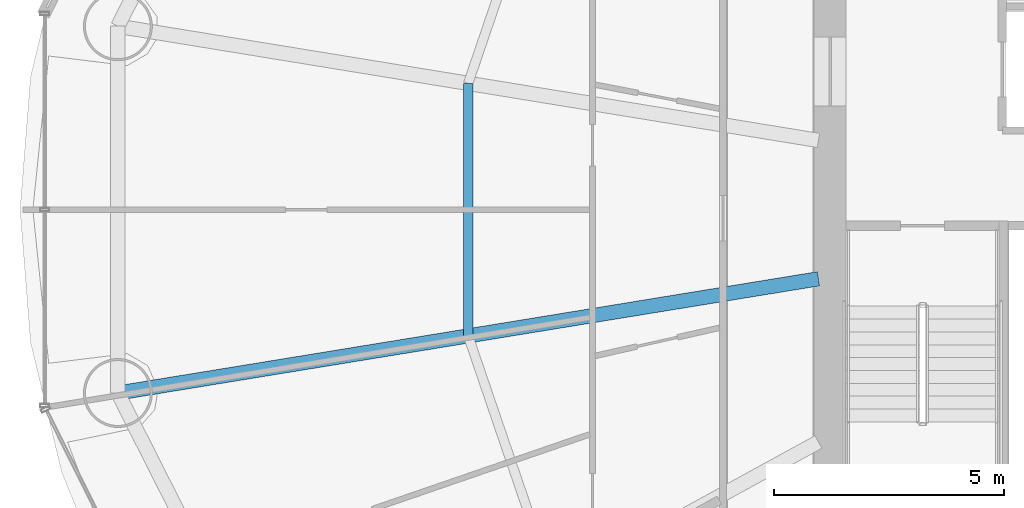
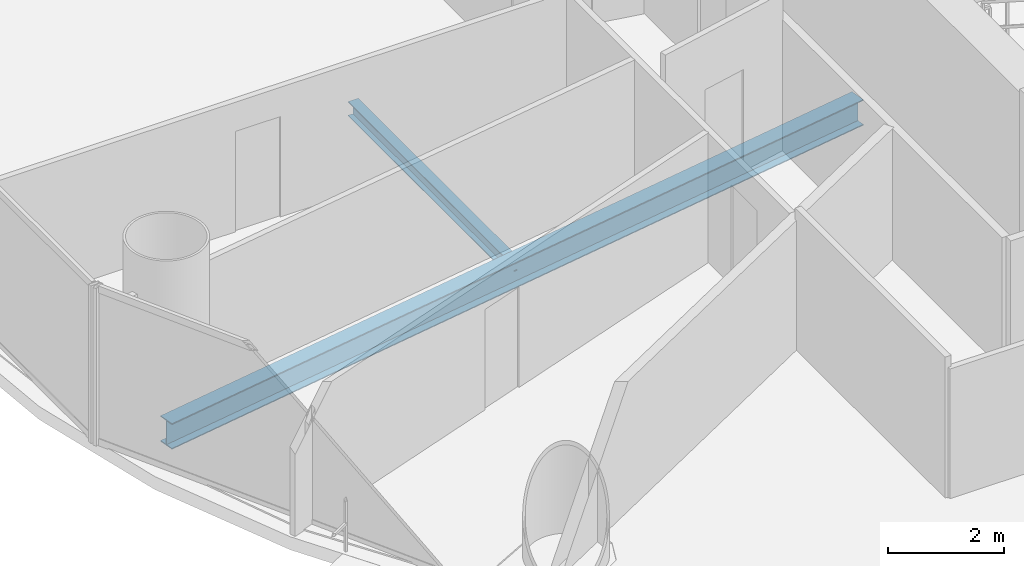
# One storey, part 7 of 28: 2 beams.
"""IFC4 building model written with IfcOpenShell, lengths in metres."""

from ifc_helpers import new_model, si_unit, direction, frame, origin, origin_2d, place, context, subcontext, project, spatial, i_section, extrude, material, material_profile, profile_set, type_object, element, save


model = new_model("IFC4")

# Units and contexts
model_context = context("Model", 3, precision=1e-05, world=origin(), true_north=direction((-0.2419218956, 0.970295726276)))
body_context = subcontext(model_context, "Body", "Model", "MODEL_VIEW")
ifc_project = project(units=[si_unit("LENGTHUNIT", "METRE"), si_unit("AREAUNIT", "SQUARE_METRE"), si_unit("VOLUMEUNIT", "CUBIC_METRE"), si_unit("PLANEANGLEUNIT", "RADIAN"), si_unit("MASSUNIT", "GRAM", prefix="KILO")], contexts=[model_context])

# Site, building, storey
site_placement = place(None, origin())
site = spatial("IfcSite", under=ifc_project, at=site_placement, CompositionType="ELEMENT")
building_placement = place(site_placement, origin())
building = spatial("IfcBuilding", under=site, at=building_placement, Name="Cobrevalo Terracotta Tower", CompositionType="ELEMENT")
storey_placement = place(building_placement, frame((0.0, 0.0, 101.39990234375)))
storey = spatial("IfcBuildingStorey", under=building, at=storey_placement, Name="L26", CompositionType="ELEMENT", Elevation=101.39990234375)

# Beams
ifc_material = material(Name="Steel S355", Category="steel")
ifc_material_profile_1 = material_profile(ifc_material, i_section(OverallWidth=0.31201171875, OverallDepth=0.54296875, WebThickness=0.0126953125, FlangeThickness=0.020263671875, at=origin_2d()), Name="W 530x150")
ifc_profile_set_1 = profile_set([ifc_material_profile_1], Name="Steel S355")
beam_type_1 = type_object("IfcBeamType", Name="Structural Beam W 530x150 (Steel S355)", PredefinedType="BEAM", material=ifc_profile_set_1)
beam_1_placement = place(storey_placement, frame((13.529296875, 22.810302734375, -0.54638671875), z_axis=(0.986968056587, 0.160916298977, 0.0), x_axis=(-0.160916298977, 0.986968056587, 0.0)))
element("IfcBeam", 1, at=beam_1_placement, inside=storey, type_object=beam_type_1, Name="L26 radial floor girder 09", PredefinedType="BEAM", context=body_context, shape_type="SweptSolid", body=[
    extrude(i_section(OverallWidth=0.31201171875, OverallDepth=0.54296875, WebThickness=0.0126953125, FlangeThickness=0.020263671875, at=origin_2d()), origin(), (0.0, 0.0, 1.0), 15.44189453125),
])
ifc_material_profile_2 = material_profile(ifc_material, i_section(OverallWidth=0.2041015625, OverallDepth=0.305908203125, WebThickness=0.008544921875, FlangeThickness=0.0146484375, at=origin_2d()), Name="W 310x67")
ifc_profile_set_2 = profile_set([ifc_material_profile_2], Name="Steel S355")
beam_type_2 = type_object("IfcBeamType", Name="Structural Joist W 310x67 (Steel S355)", PredefinedType="JOIST", material=ifc_profile_set_2)
beam_2_placement = place(storey_placement, frame((21.149658203125, 29.547119140625, -0.427978515625), z_axis=(0.0, -1.0, 0.0), x_axis=(1.0, 0.0, 0.0)))
element("IfcBeam", 2, at=beam_2_placement, inside=storey, type_object=beam_type_2, Name="L26 circumferential secondary floor joist 08", PredefinedType="JOIST", context=body_context, shape_type="SweptSolid", body=[
    extrude(i_section(OverallWidth=0.2041015625, OverallDepth=0.305908203125, WebThickness=0.008544921875, FlangeThickness=0.0146484375, at=origin_2d()), origin(), (0.0, 0.0, 1.0), 5.494384765625),
])

save(model, "model.ifc")
